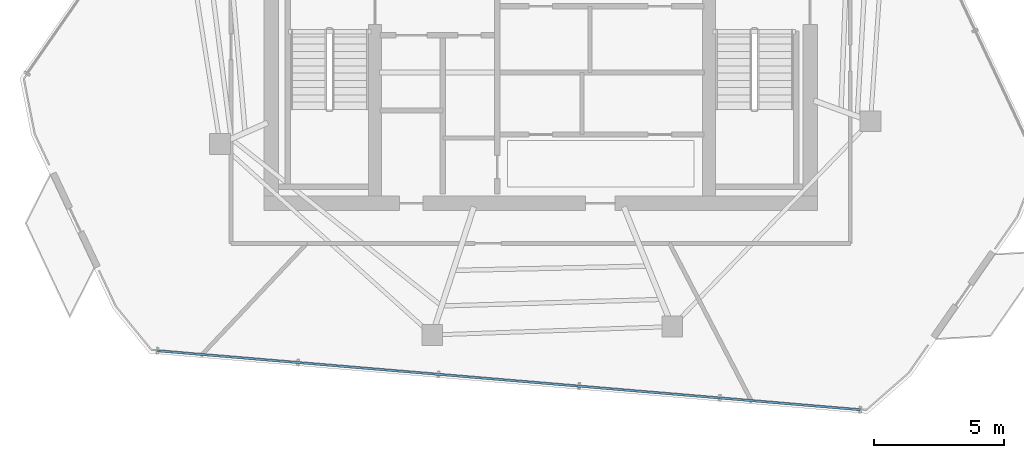
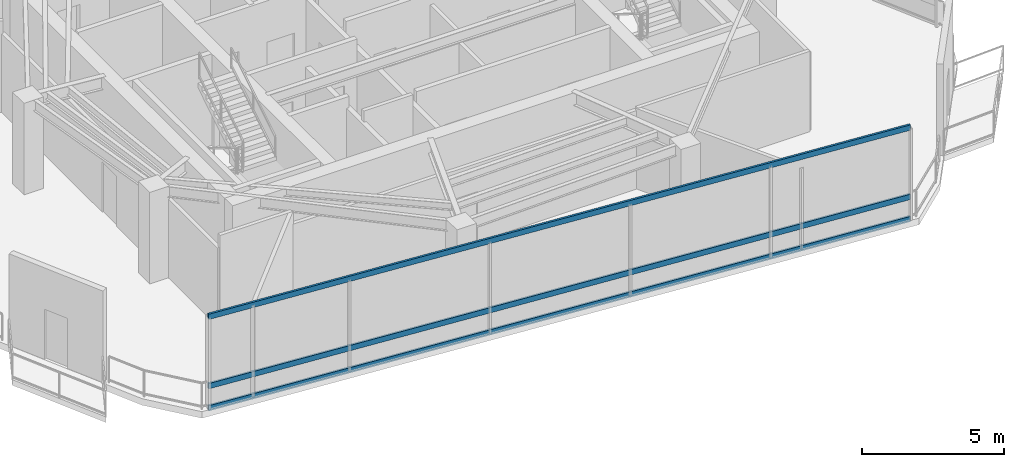
# One storey, part 3 of 19: 3 members, 1 element without a shape of its own.
"""IFC4 building model written with IfcOpenShell, lengths in metres."""

from ifc_helpers import new_model, si_unit, direction, frame, origin, origin_2d, place, context, subcontext, project, spatial, hollow_rectangle, extrude, material, layer, layer_set, material_profile, profile_set, type_object, element, aggregate, save


model = new_model("IFC4")

# Units and contexts
model_context = context("Model", 3, precision=1e-05, world=origin(), true_north=direction((0.0, 1.0)))
body_context = subcontext(model_context, "Body", "Model", "MODEL_VIEW")
ifc_project = project(units=[si_unit("LENGTHUNIT", "METRE"), si_unit("AREAUNIT", "SQUARE_METRE"), si_unit("VOLUMEUNIT", "CUBIC_METRE"), si_unit("PLANEANGLEUNIT", "RADIAN"), si_unit("MASSUNIT", "GRAM", prefix="KILO")], contexts=[model_context])

# Site, building, storey
site_placement = place(None, origin())
site = spatial("IfcSite", under=ifc_project, at=site_placement, CompositionType="ELEMENT")
building_placement = place(site_placement, origin())
building = spatial("IfcBuilding", under=site, at=building_placement, Name="Qarnah Convention Tower", CompositionType="ELEMENT")
storey_placement = place(building_placement, frame((0.0, 0.0, 275.10009765625)))
storey = spatial("IfcBuildingStorey", under=building, at=storey_placement, Name="L74", CompositionType="ELEMENT", Elevation=275.10009765625)

# Curtain wall, members
ifc_material_1 = material(Name="Tempered Low-E dark glass", Category="glass")
ifc_layer = layer(ifc_material_1, 0.177978515625)
ifc_layer_set = layer_set([ifc_layer], Name="Tempered Low-E dark glass")
curtain_wall_type = type_object("IfcCurtainWallType", Name="CWS-06", PredefinedType="NOTDEFINED", material=ifc_layer_set)
curtain_wall_placement = place(storey_placement, origin())
curtain_wall = element("IfcCurtainWall", 1, at=curtain_wall_placement, inside=storey, type_object=curtain_wall_type, Name="L74 unitised curtain wall CW-L74-F2", PredefinedType="NOTDEFINED")
ifc_material_2 = material(Name="Black anodised aluminium", Category="aluminium")
ifc_material_profile = material_profile(ifc_material_2, hollow_rectangle(XDim=0.0849609375, YDim=0.22998046875, WallThickness=0.006103515625, at=origin_2d()), Name="TRN-85X230")
ifc_profile_set = profile_set([ifc_material_profile], Name="Black anodised aluminium")
member_type = type_object("IfcMemberType", Name="TRN-T6", PredefinedType="USERDEFINED", material=ifc_profile_set)
member_1_placement = place(storey_placement, frame((49.532958984375, 10.623046875, 0.0), z_axis=(-0.996495347579, 0.083648205324, 0.0), x_axis=(-0.083648205324, -0.996495347579, 0.0)))
member_1 = element("IfcMember", 2, at=member_1_placement, type_object=member_type, Name="CW-L74-F2 transom 1", ObjectType="TRANSOM", PredefinedType="USERDEFINED", context=body_context, shape_type="SweptSolid", body=[
    extrude(hollow_rectangle(XDim=0.0849609375, YDim=0.22998046875, WallThickness=0.006103515625, at=origin_2d()), origin(), (0.0, 0.0, 1.0), 27.219482421875),
])
member_2_placement = place(storey_placement, frame((49.532958984375, 10.623046875, 0.949951171875), z_axis=(-0.996495347579, 0.083648205324, 0.0), x_axis=(-0.083648205324, -0.996495347579, 0.0)))
member_2 = element("IfcMember", 3, at=member_2_placement, type_object=member_type, Name="CW-L74-F2 transom 2", ObjectType="TRANSOM", PredefinedType="USERDEFINED", context=body_context, shape_type="SweptSolid", body=[
    extrude(hollow_rectangle(XDim=0.0849609375, YDim=0.22998046875, WallThickness=0.006103515625, at=origin_2d()), origin(), (0.0, 0.0, 1.0), 27.219482421875),
])
member_3_placement = place(storey_placement, frame((49.532958984375, 10.623046875, 3.919921875), z_axis=(-0.996495347579, 0.083648205324, 0.0), x_axis=(-0.083648205324, -0.996495347579, 0.0)))
member_3 = element("IfcMember", 4, at=member_3_placement, type_object=member_type, Name="CW-L74-F2 transom 3", ObjectType="TRANSOM", PredefinedType="USERDEFINED", context=body_context, shape_type="SweptSolid", body=[
    extrude(hollow_rectangle(XDim=0.0849609375, YDim=0.22998046875, WallThickness=0.006103515625, at=origin_2d()), origin(), (0.0, 0.0, 1.0), 27.219482421875),
])
aggregate(curtain_wall, [member_1, member_2, member_3])

save(model, "model.ifc")
